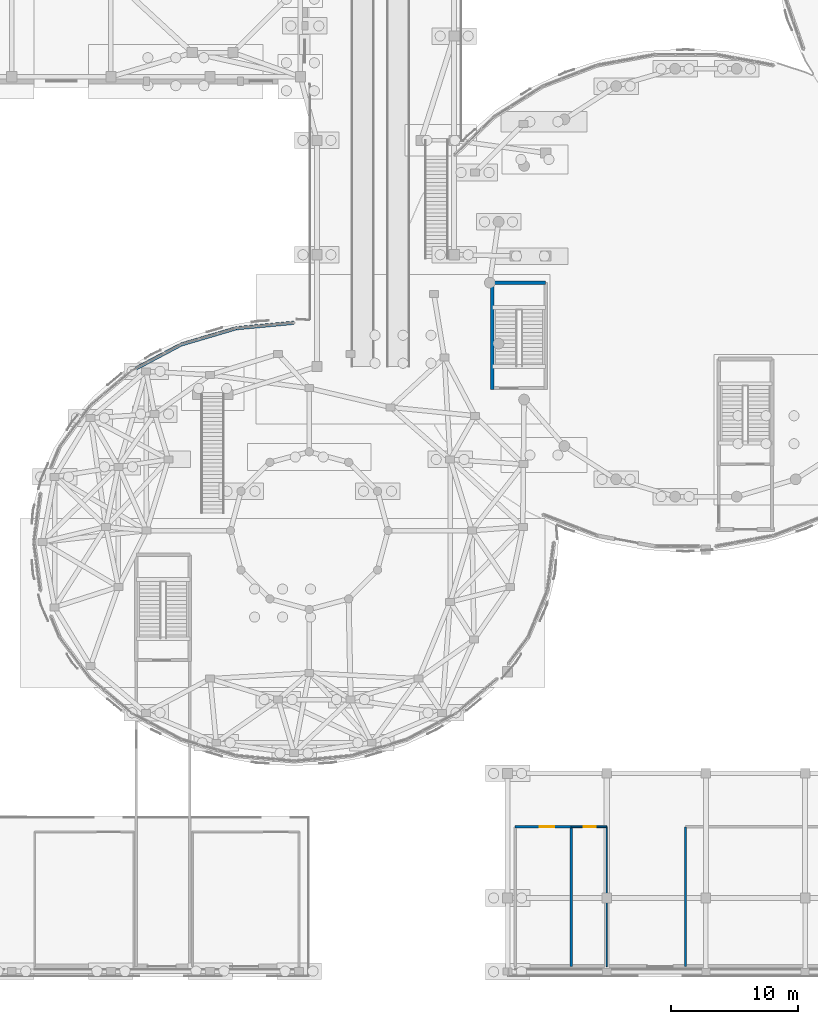
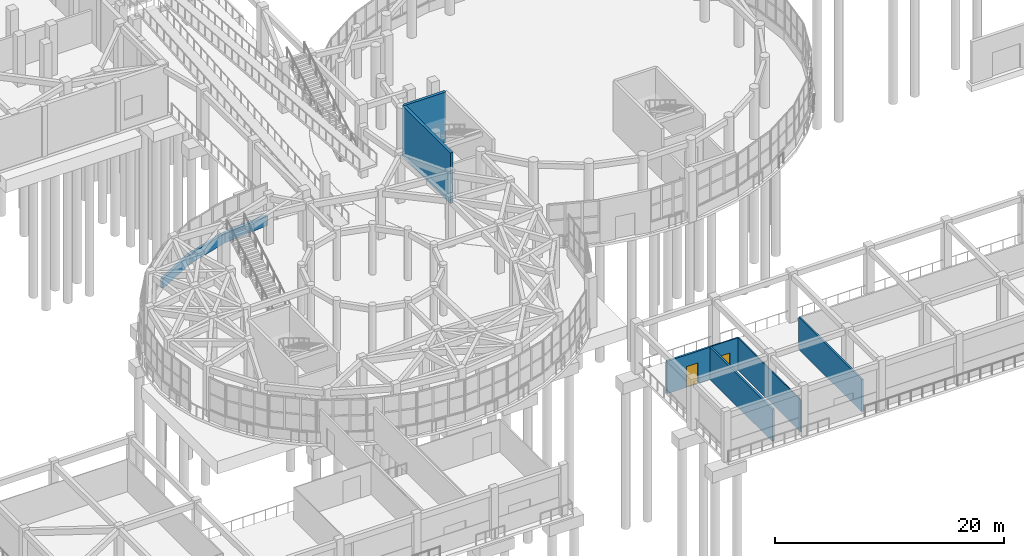
# One storey, part 72 of 96: 10 walls, 2 doors, 2 openings.
"""IFC4 building model written with IfcOpenShell, lengths in metres."""

import ifcopenshell
import ifcopenshell.guid

model = None  # the IFC model being written
_history = None  # IfcOwnerHistory: only IFC2X3 demands one
_inside = {}  # id of a spatial element -> (the spatial element, [elements in it])
_under = {}  # id of a project, library or spatial element -> (it, [spatial elements below it])
_declared = {}  # id of a project -> (the project, [libraries it declares])
_typed = {}  # id of a type object -> (the type object, [elements of that type])
_made_of = {}  # id of a material, layer set ... -> (it, [elements and type objects made of it])


def new_model(schema):
    """Start an empty IFC model of exactly this schema.

    Asked for "IFC4X3", IfcOpenShell would pick the latest addendum, in which some entities
    have other attributes; the version numbers below select the first issue.
    IFC2X3 requires an IfcOwnerHistory on every rooted entity: one is made here for all.
    """
    global model, _history
    if schema == "IFC4X3":
        model = ifcopenshell.file(schema_version=(4, 3, 0, 0))
    else:
        model = ifcopenshell.file(schema=schema)
    _inside.clear()
    _under.clear()
    _declared.clear()
    _typed.clear()
    _made_of.clear()
    _history = None
    if model.schema == "IFC2X3":
        org = make("IfcOrganization", Name="unknown")
        user = make(
            "IfcPersonAndOrganization",
            ThePerson=make("IfcPerson", FamilyName="unknown"),
            TheOrganization=org,
        )
        app = make(
            "IfcApplication",
            ApplicationDeveloper=org,
            Version="unknown",
            ApplicationFullName="unknown",
            ApplicationIdentifier="unknown",
        )
        _history = make(
            "IfcOwnerHistory",
            OwningUser=user,
            OwningApplication=app,
            ChangeAction="ADDED",
            CreationDate=0,
        )
    return model


def make(cls, **values):
    """One entity of the class cls with the attributes given. An attribute that is None is left unset."""
    return model.create_entity(
        cls, **{name: value for name, value in values.items() if value is not None}
    )


def rooted(cls, **values):
    """An entity with a GlobalId (a new one), such as an element, a storey or a relation."""
    return make(cls, GlobalId=ifcopenshell.guid.new(), OwnerHistory=_history, **values)


def si_unit(unit_type, name, prefix=None):
    """IfcSIUnit, for example si_unit("LENGTHUNIT", "METRE", prefix="MILLI")."""
    return make("IfcSIUnit", UnitType=unit_type, Prefix=prefix, Name=name)


def assignment(units):
    """IfcUnitAssignment: the units of a project."""
    return None if units is None else make("IfcUnitAssignment", Units=units)


def point(xyz):
    """IfcCartesianPoint."""
    return None if xyz is None else make("IfcCartesianPoint", Coordinates=xyz)


def direction(xyz):
    """IfcDirection."""
    return None if xyz is None else make("IfcDirection", DirectionRatios=xyz)


def frame(location, z_axis=None, x_axis=None):
    """IfcAxis2Placement3D, a coordinate frame: its origin and axes. An axis left out is left unset."""
    return make(
        "IfcAxis2Placement3D",
        Location=point(location),
        Axis=direction(z_axis),
        RefDirection=direction(x_axis),
    )


def frame_2d(location, x_axis=None):
    """IfcAxis2Placement2D, a coordinate frame in the plane: its origin and x axis."""
    return make(
        "IfcAxis2Placement2D", Location=point(location), RefDirection=direction(x_axis)
    )


def origin():
    """The frame at (0, 0, 0) with its axes left unset."""
    return frame((0.0, 0.0, 0.0))


def place(relative_to, where):
    """IfcLocalPlacement: puts the frame where relative to a parent placement (None: the world)."""
    return make(
        "IfcLocalPlacement", PlacementRelTo=relative_to, RelativePlacement=where
    )


def context(
    kind, dimensions, precision=None, world=None, true_north=None, identifier=None
):
    """IfcGeometricRepresentationContext, for example the 3D "Model" context."""
    return make(
        "IfcGeometricRepresentationContext",
        ContextIdentifier=identifier,
        ContextType=kind,
        CoordinateSpaceDimension=dimensions,
        Precision=precision,
        WorldCoordinateSystem=world,
        TrueNorth=true_north,
    )


def subcontext(parent, identifier, kind, view, scale=None):
    """IfcGeometricRepresentationSubContext, for example "Body" below "Model"."""
    return make(
        "IfcGeometricRepresentationSubContext",
        ContextIdentifier=identifier,
        ContextType=kind,
        ParentContext=parent,
        TargetScale=scale,
        TargetView=view,
    )


def project(units=None, contexts=None):
    """IfcProject with its units and contexts."""
    return rooted(
        "IfcProject",
        Name="project",
        RepresentationContexts=contexts,
        UnitsInContext=assignment(units),
    )


def spatial(cls, under=None, at=None, **own):
    """A site, building, storey or space (cls), placed at a placement, below another one or the project."""
    s = rooted(cls, ObjectPlacement=at, **own)
    if under is not None:
        _under.setdefault(under.id(), (under, []))[1].append(s)
    return s


def profile(cls, at=None, kind="AREA", **sizes):
    """A parametric profile (cls). Its sizes go by their IFC names, for example OverallWidth=200.0."""
    return make(cls, ProfileType=kind, Position=at, **sizes)


def rectangle(**sizes):
    """IfcRectangleProfileDef."""
    return profile("IfcRectangleProfileDef", **sizes)


def extrude(swept, where, along, depth):
    """IfcExtrudedAreaSolid: the profile swept, set in the frame where, extruded along a direction by depth."""
    return make(
        "IfcExtrudedAreaSolid",
        SweptArea=swept,
        Position=where,
        ExtrudedDirection=direction(along),
        Depth=depth,
    )


def shape(context_of_items, identifier, shape_type, items):
    """IfcShapeRepresentation: the items that make up one representation, for example the "Body"."""
    return make(
        "IfcShapeRepresentation",
        ContextOfItems=context_of_items,
        RepresentationIdentifier=identifier,
        RepresentationType=shape_type,
        Items=items,
    )


def material(Name=None, Category=None):
    """IfcMaterial."""
    return make("IfcMaterial", Name=Name, Category=Category)


def layer(
    of_material, thickness, ventilated=None, Name=None, Category=None, Priority=None
):
    """IfcMaterialLayer: one layer of a wall or slab, of a material (None: an air gap)."""
    return make(
        "IfcMaterialLayer",
        Material=of_material,
        LayerThickness=thickness,
        IsVentilated=ventilated,
        Name=Name,
        Category=Category,
        Priority=Priority,
    )


def layer_set(layers, Name=None):
    """IfcMaterialLayerSet."""
    return make("IfcMaterialLayerSet", MaterialLayers=layers, LayerSetName=Name)


def made_of(thing, what):
    """Note that an element or type object is made of a material, layer set ...; save() writes the relation."""
    if what is not None:
        _made_of.setdefault(what.id(), (what, []))[1].append(thing)
    return thing


def type_object(cls, material=None, **own):
    """A type object (cls), such as IfcWallType, which elements share."""
    return made_of(rooted(cls, **own), material)


def element(
    cls,
    number,
    at=None,
    inside=None,
    cuts=None,
    type_object=None,
    material=None,
    context=None,
    identifier="Body",
    shape_type=None,
    held_by="IfcProductDefinitionShape",
    body=None,
    shapes=None,
    **own,
):
    """One element of the class cls, such as IfcWall. Its Tag is "e" and its number.

    at: its placement. inside: the storey or other place that contains it. cuts: it is an
    opening in that element (IfcRelVoidsElement). A single representation is given by context,
    identifier, shape_type and body (its items); several are given by shapes. held_by: the class
    of the entity that holds the representations. save() writes the other relations.
    """
    e = rooted(cls, Tag="e%d" % number, ObjectPlacement=at, **own)
    if body is not None:
        shapes = [shape(context, identifier, shape_type, body)]
    if shapes is not None:
        e.Representation = make(held_by, Representations=shapes)
    if inside is not None:
        _inside.setdefault(inside.id(), (inside, []))[1].append(e)
    if cuts is not None:
        rooted(
            "IfcRelVoidsElement", RelatingBuildingElement=cuts, RelatedOpeningElement=e
        )
    if type_object is not None:
        _typed.setdefault(type_object.id(), (type_object, []))[1].append(e)
    return made_of(e, material)


def fill(opening, filler):
    """IfcRelFillsElement: the door or window that sits in an opening."""
    return rooted(
        "IfcRelFillsElement",
        RelatingOpeningElement=opening,
        RelatedBuildingElement=filler,
    )


def aggregate(whole, parts):
    """IfcRelAggregates: a whole, such as a stair, and the parts it consists of."""
    return rooted("IfcRelAggregates", RelatingObject=whole, RelatedObjects=parts)


def save(model, path):
    """Write the relations noted so far, then the file.

    IfcRelAggregates (storeys below a building ...), IfcRelContainedInSpatialStructure (elements
    in a storey), IfcRelDefinesByType, IfcRelAssociatesMaterial and IfcRelDeclares: one each for
    every whole, place, type object, material and project.
    """
    for whole, parts in _under.values():
        aggregate(whole, parts)
    for where, things in _inside.values():
        rooted(
            "IfcRelContainedInSpatialStructure",
            RelatedElements=things,
            RelatingStructure=where,
        )
    for kind, things in _typed.values():
        rooted("IfcRelDefinesByType", RelatedObjects=things, RelatingType=kind)
    for what, things in _made_of.values():
        rooted("IfcRelAssociatesMaterial", RelatedObjects=things, RelatingMaterial=what)
    for by, libraries in _declared.values():
        rooted("IfcRelDeclares", RelatingContext=by, RelatedDefinitions=libraries)
    model.write(path)


model = new_model("IFC4")

# Units and contexts
model_context = context("Model", 3, precision=1e-05, world=origin(), true_north=direction((0.0, 1.0)))
body_context = subcontext(model_context, "Body", "Model", "MODEL_VIEW")
ifc_project = project(units=[si_unit("LENGTHUNIT", "METRE"), si_unit("AREAUNIT", "SQUARE_METRE"), si_unit("VOLUMEUNIT", "CUBIC_METRE"), si_unit("PLANEANGLEUNIT", "RADIAN"), si_unit("MASSUNIT", "GRAM", prefix="KILO")], contexts=[model_context])

# Site, building, storey
site_placement = place(None, origin())
site = spatial("IfcSite", under=ifc_project, at=site_placement, CompositionType="ELEMENT")
building_placement = place(site_placement, origin())
building = spatial("IfcBuilding", under=site, at=building_placement, Name="Pelvatis Terrace Science Centre", CompositionType="ELEMENT")
storey_placement = place(building_placement, origin())
storey = spatial("IfcBuildingStorey", under=building, at=storey_placement, Name="L00", CompositionType="ELEMENT", Elevation=0.0)

# Walls
ifc_material_1 = material(Name="White architectural precast concrete C40/50 spandrel", Category="concrete")
ifc_layer_1 = layer(ifc_material_1, 0.27490234375)
ifc_layer_set_1 = layer_set([ifc_layer_1], Name="White architectural precast concrete C40/50 spandrel")
wall_type_1 = type_object("IfcWallType", Name="WL-EXT-SPND-275", PredefinedType="SOLIDWALL", material=ifc_layer_set_1)
wall_1_placement = place(storey_placement, frame((45.60009765625, 51.449951171875, 0.0), z_axis=(0.0, 0.0, 1.0), x_axis=(-0.995516810344, -0.094584778494, 0.0)))
element("IfcWall", 1, at=wall_1_placement, inside=storey, type_object=wall_type_1, Name="V3 white spiral spandrel band 08 (L00)", PredefinedType="SOLIDWALL", context=body_context, shape_type="SweptSolid", body=[
    extrude(rectangle(XDim=4.5712890625, YDim=0.27490234375, at=frame_2d((2.28564453125, 0.0))), origin(), (0.0, 0.0, 1.0), 1.02001953125),
])
wall_2_placement = place(storey_placement, frame((41.04931640625, 51.017578125, 0.0), z_axis=(0.0, 0.0, 1.0), x_axis=(-0.959087268251, -0.283110600083, 0.0)))
element("IfcWall", 2, at=wall_2_placement, inside=storey, type_object=wall_type_1, Name="V3 white spiral spandrel band 09 (L00)", PredefinedType="SOLIDWALL", context=body_context, shape_type="SweptSolid", body=[
    extrude(rectangle(XDim=4.506591796875, YDim=0.27490234375, at=frame_2d((2.25341796875, 0.0))), origin(), (0.0, 0.0, 1.0), 1.02001953125),
])
wall_3_placement = place(storey_placement, frame((36.72705078125, 49.74169921875, 0.0), z_axis=(0.0, 0.0, 1.0), x_axis=(-0.883560469247, -0.468317090425, 0.0)))
element("IfcWall", 3, at=wall_3_placement, inside=storey, type_object=wall_type_1, Name="V3 white spiral spandrel band 10 (L00)", PredefinedType="SOLIDWALL", context=body_context, shape_type="SweptSolid", body=[
    extrude(rectangle(XDim=4.388427734375, YDim=0.27490234375, at=frame_2d((2.1943359375, 0.0))), origin(), (0.0, 0.0, 1.0), 1.02001953125),
])
ifc_material_2 = material(Name="Masonry fire-compartment wall", Category="masonry")
ifc_layer_2 = layer(ifc_material_2, 0.199951171875)
ifc_layer_set_2 = layer_set([ifc_layer_2], Name="Masonry fire-compartment wall")
wall_type_2 = type_object("IfcWallType", Name="WL-INT-COMP-200", PredefinedType="PARTITIONING", material=ifc_layer_set_2)
wall_4_placement = place(storey_placement, frame((67.39990234375, 0.800048828125, 0.0), z_axis=(0.0, 0.0, 1.0), x_axis=(0.0, 1.0, 0.0)))
element("IfcWall", 4, at=wall_4_placement, inside=storey, type_object=wall_type_2, Name="Fire Command and Emergency Control Room partition wall E", PredefinedType="PARTITIONING", context=body_context, shape_type="SweptSolid", body=[
    extrude(rectangle(XDim=11.0, YDim=0.199951171875, at=frame_2d((5.5, 0.0))), origin(), (0.0, 0.0, 1.0), 3.449951171875),
])

# Wall, opening, door
wall_5_placement = place(storey_placement, frame((67.39990234375, 11.800048828125, 0.0), z_axis=(0.0, 0.0, 1.0), x_axis=(-1.0, 0.0, 0.0)))
wall_5 = element("IfcWall", 5, at=wall_5_placement, inside=storey, type_object=wall_type_2, Name="Fire Command and Emergency Control Room partition wall N", PredefinedType="PARTITIONING", context=body_context, shape_type="SweptSolid", body=[
    extrude(rectangle(XDim=4.39990234375, YDim=0.199951171875, at=frame_2d((2.199951171875, 0.0))), origin(), (0.0, 0.0, 1.0), 3.449951171875),
])
opening_1_placement = place(wall_5_placement, frame((1.318115234375, 0.0, 0.0)))
opening_1 = element("IfcOpeningElement", 6, at=opening_1_placement, cuts=wall_5, Name="Opening D-187", PredefinedType="OPENING", context=body_context, shape_type="SweptSolid", body=[
    extrude(rectangle(XDim=1.14990234375, YDim=2.199951171875, at=frame_2d((0.574951171875, 1.10009765625))), frame((0.0, 0.10986328125, 0.0), z_axis=(0.0, -1.0, 0.0), x_axis=(1.0, 0.0, 0.0)), (0.0, 0.0, 1.0), 0.219970703125),
])
ifc_material_3 = material(Name="Fire Command Room rated steel door", Category="steel")
door_type_1 = type_object("IfcDoorType", Name="DR-FCR-1150x2200", OperationType="NOTDEFINED", PredefinedType="DOOR", material=ifc_material_3)
door_1_placement = place(opening_1_placement, origin())
door_1 = element("IfcDoor", 7, at=door_1_placement, inside=storey, type_object=door_type_1, Name="Fire Command and Emergency Control Room entrance door", OperationType="SINGLE_SWING_RIGHT", OverallHeight=2.199951171875, OverallWidth=1.14990234375, PredefinedType="DOOR", context=body_context, shape_type="SweptSolid", body=[
    extrude(rectangle(XDim=1.14990234375, YDim=2.199951171875, at=frame_2d((0.574951171875, 1.10009765625))), frame((0.0, 0.02490234375, 0.0), z_axis=(0.0, -1.0, 0.0), x_axis=(1.0, 0.0, 0.0)), (0.0, 0.0, 1.0), 0.050048828125),
])
fill(opening_1, door_1)

# Walls
ifc_material_4 = material(Name="Gallery acoustic wall", Category="masonry")
ifc_layer_3 = layer(ifc_material_4, 0.169921875)
ifc_layer_set_3 = layer_set([ifc_layer_3], Name="Gallery acoustic wall")
wall_type_3 = type_object("IfcWallType", Name="WL-INT-GAL-170", PredefinedType="PARTITIONING", material=ifc_layer_set_3)
wall_6_placement = place(storey_placement, frame((76.39990234375, 11.800048828125, 0.0), z_axis=(0.0, 0.0, 1.0), x_axis=(0.0, -1.0, 0.0)))
element("IfcWall", 8, at=wall_6_placement, inside=storey, type_object=wall_type_3, Name="Rio de la Plata Marine Biodiversity Exhibition Gallery partition wall W", PredefinedType="PARTITIONING", context=body_context, shape_type="SweptSolid", body=[
    extrude(rectangle(XDim=11.0, YDim=0.169921875, at=frame_2d((5.5, 0.0))), origin(), (0.0, 0.0, 1.0), 3.449951171875),
])
ifc_material_5 = material(Name="Framed acoustic glass seminar screen", Category="glass")
ifc_layer_4 = layer(ifc_material_5, 0.10498046875)
ifc_layer_set_4 = layer_set([ifc_layer_4], Name="Framed acoustic glass seminar screen")
wall_type_4 = type_object("IfcWallType", Name="WL-INT-GLZ-105", PredefinedType="PARTITIONING", material=ifc_layer_set_4)
wall_7_placement = place(storey_placement, frame((70.199951171875, 0.800048828125, 0.0), z_axis=(0.0, 0.0, 1.0), x_axis=(0.0, 1.0, 0.0)))
element("IfcWall", 9, at=wall_7_placement, inside=storey, type_object=wall_type_4, Name="Ground Floor Public Restrooms partition wall E", PredefinedType="PARTITIONING", context=body_context, shape_type="SweptSolid", body=[
    extrude(rectangle(XDim=11.0, YDim=0.10498046875, at=frame_2d((5.5, 0.0))), origin(), (0.0, 0.0, 1.0), 3.449951171875),
])

# Wall, opening, door
ifc_material_6 = material(Name="Ceramic-tiled wet restroom partition", Category="masonry")
ifc_layer_5 = layer(ifc_material_6, 0.1298828125)
ifc_layer_set_5 = layer_set([ifc_layer_5], Name="Ceramic-tiled wet restroom partition")
wall_type_5 = type_object("IfcWallType", Name="WL-INT-WET-130", PredefinedType="PARTITIONING", material=ifc_layer_set_5)
wall_8_placement = place(storey_placement, frame((70.199951171875, 11.800048828125, 0.0), z_axis=(0.0, 0.0, 1.0), x_axis=(-1.0, 0.0, 0.0)))
wall_8 = element("IfcWall", 10, at=wall_8_placement, inside=storey, type_object=wall_type_5, Name="Ground Floor Public Restrooms partition wall N", PredefinedType="PARTITIONING", context=body_context, shape_type="SweptSolid", body=[
    extrude(rectangle(XDim=2.800048828125, YDim=0.1298828125, at=frame_2d((1.39990234375, 0.0))), origin(), (0.0, 0.0, 1.0), 3.449951171875),
])
opening_2_placement = place(wall_8_placement, frame((0.873046875, 0.0, 0.0)))
opening_2 = element("IfcOpeningElement", 11, at=opening_2_placement, cuts=wall_8, Name="Opening D-188", PredefinedType="OPENING", context=body_context, shape_type="SweptSolid", body=[
    extrude(rectangle(XDim=0.919921875, YDim=2.10009765625, at=frame_2d((0.4599609375, 1.050048828125))), frame((0.0, 0.074951171875, 0.0), z_axis=(0.0, -1.0, 0.0), x_axis=(1.0, 0.0, 0.0)), (0.0, 0.0, 1.0), 0.14990234375),
])
ifc_material_7 = material(Name="Moisture-resistant public restroom door", Category="wood")
door_type_2 = type_object("IfcDoorType", Name="DR-WC-0920x2100", OperationType="NOTDEFINED", PredefinedType="DOOR", material=ifc_material_7)
door_2_placement = place(opening_2_placement, origin())
door_2 = element("IfcDoor", 12, at=door_2_placement, inside=storey, type_object=door_type_2, Name="Ground Floor Public Restrooms entrance door", OperationType="SINGLE_SWING_LEFT", OverallHeight=2.10009765625, OverallWidth=0.919921875, PredefinedType="DOOR", context=body_context, shape_type="SweptSolid", body=[
    extrude(rectangle(XDim=0.919921875, YDim=2.10009765625, at=frame_2d((0.4599609375, 1.050048828125))), frame((0.0, 0.02490234375, 0.0), z_axis=(0.0, -1.0, 0.0), x_axis=(1.0, 0.0, 0.0)), (0.0, 0.0, 1.0), 0.050048828125),
])
fill(opening_2, door_2)

# Walls
ifc_material_8 = material(Name="Concrete C40/50", Category="concrete")
ifc_layer_6 = layer(ifc_material_8, 0.280029296875)
ifc_layer_set_6 = layer_set([ifc_layer_6], Name="Concrete C40/50")
wall_type_6 = type_object("IfcWallType", Name="WL-SHR-280", PredefinedType="SHEAR", material=ifc_layer_set_6)
wall_9_placement = place(storey_placement, frame((61.199951171875, 54.60009765625, 0.0), z_axis=(0.0, 0.0, 1.0), x_axis=(1.0, 0.0, 0.0)))
element("IfcWall", 13, at=wall_9_placement, inside=storey, type_object=wall_type_6, Name="Stair ST-05 structural wall N (L00)", PredefinedType="SHEAR", context=body_context, shape_type="SweptSolid", body=[
    extrude(rectangle(XDim=4.199951171875, YDim=0.280029296875, at=frame_2d((2.10009765625, 0.0))), origin(), (0.0, 0.0, 1.0), 5.39990234375),
])
wall_10_placement = place(storey_placement, frame((61.199951171875, 46.199951171875, 0.0), z_axis=(0.0, 0.0, 1.0), x_axis=(0.0, 1.0, 0.0)))
element("IfcWall", 14, at=wall_10_placement, inside=storey, type_object=wall_type_6, Name="Stair ST-05 structural wall W (L00)", PredefinedType="SHEAR", context=body_context, shape_type="SweptSolid", body=[
    extrude(rectangle(XDim=8.400146484375, YDim=0.280029296875, at=frame_2d((4.2001953125, 0.0))), origin(), (0.0, 0.0, 1.0), 5.39990234375),
])

save(model, "model.ifc")
